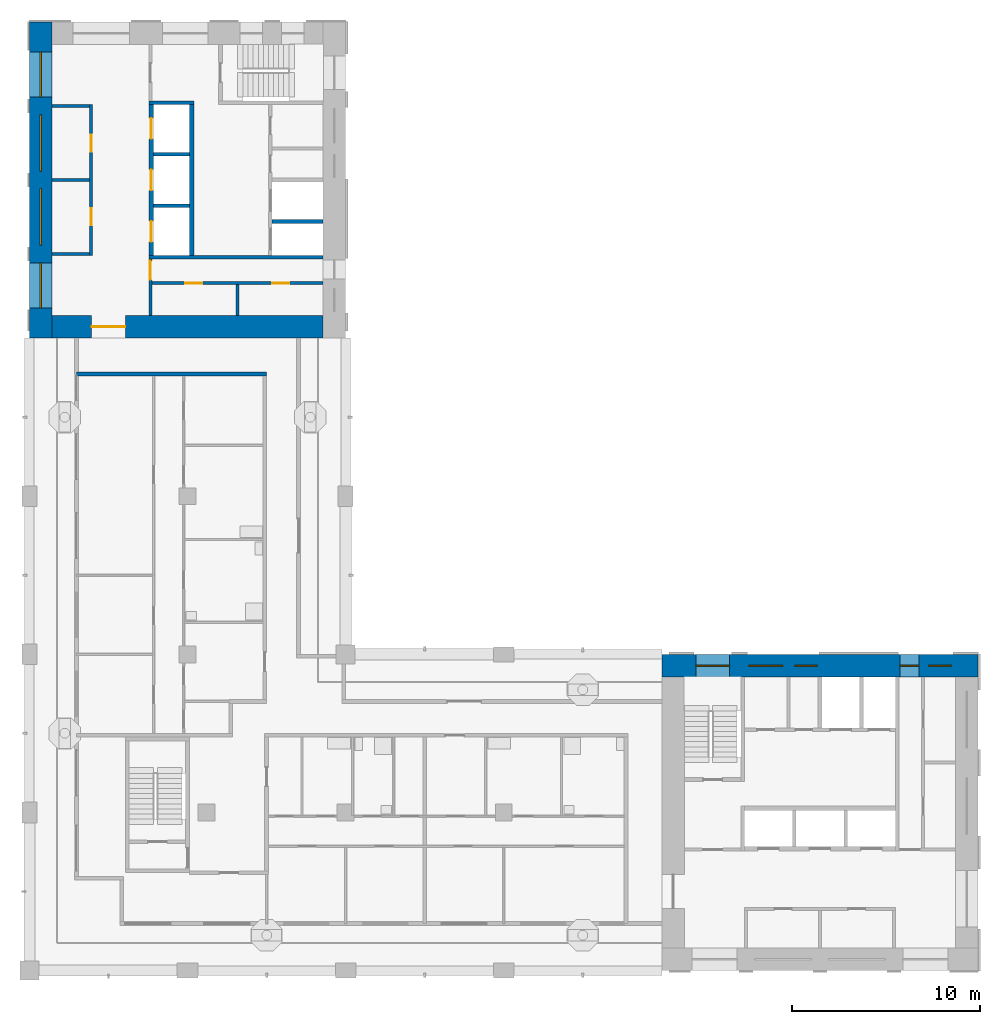
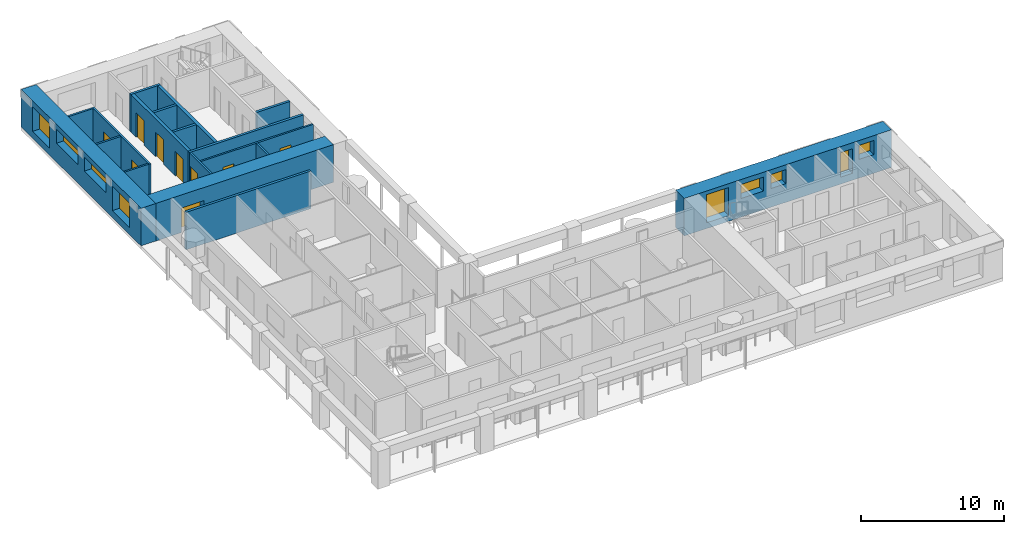
# One storey, part 5 of 11: 18 walls, 9 doors, 9 windows, 18 openings.
"""IFC4 building model written with IfcOpenShell, lengths in metres."""

from ifc_helpers import new_model, si_unit, direction, frame, frame_2d, origin, place, context, subcontext, project, spatial, rectangle, extrude, material, layer, layer_set, type_object, element, fill, save


model = new_model("IFC4")

# Units and contexts
model_context = context("Model", 3, precision=1e-05, world=origin(), true_north=direction((0.0, 1.0)))
body_context = subcontext(model_context, "Body", "Model", "MODEL_VIEW")
ifc_project = project(units=[si_unit("LENGTHUNIT", "METRE"), si_unit("AREAUNIT", "SQUARE_METRE"), si_unit("VOLUMEUNIT", "CUBIC_METRE"), si_unit("PLANEANGLEUNIT", "RADIAN"), si_unit("MASSUNIT", "GRAM", prefix="KILO")], contexts=[model_context])

# Site, building, storey
site_placement = place(None, origin())
site = spatial("IfcSite", under=ifc_project, at=site_placement, CompositionType="ELEMENT")
building_placement = place(site_placement, origin())
building = spatial("IfcBuilding", under=site, at=building_placement, Name="Vermilion Gate Residences", CompositionType="ELEMENT")
storey_placement = place(building_placement, frame((0.0, 0.0, 256.199951171875)))
storey = spatial("IfcBuildingStorey", under=building, at=storey_placement, Name="L67", CompositionType="ELEMENT", Elevation=256.199951171875)

# Walls
ifc_material_1 = material(Name="Masonry blockwork", Category="masonry")
ifc_layer_1 = layer(ifc_material_1, 0.14990234375)
ifc_layer_set_1 = layer_set([ifc_layer_1], Name="BLOCKWORK PARTITION 150 EI 120")
wall_type_1 = type_object("IfcWallType", Name="BLOCKWORK PARTITION 150 EI 120", PredefinedType="PARTITIONING", material=ifc_layer_set_1)
for number, where, z_axis, x_axis, name in (
    (1, (9.60009765625, 54.324951171875, 0.0), (0.0, 0.0, 1.0), (1.0, 0.0, 0.0), "Core room partition B67-RW-W"),
    (2, (9.60009765625, 46.47509765625, 0.0), (0.0, 0.0, 1.0), (1.0, 0.0, 0.0), "Core room partition B67-RW-E"),
    (3, (9.60009765625, 50.39990234375, 0.0), (0.0, 0.0, 1.0), (1.0, 0.0, 0.0), "Core room partition B67-SR-P0"),
):
    element("IfcWall", number, at=place(storey_placement, frame(where, z_axis=z_axis, x_axis=x_axis)), inside=storey, type_object=wall_type_1, Name=name, PredefinedType="PARTITIONING", context=body_context, shape_type="SweptSolid", body=[
        extrude(rectangle(XDim=2.0, YDim=0.14990234375, at=frame_2d((1.0, 0.0))), origin(), (0.0, 0.0, 1.0), 3.219970703125),
    ])

# Wall, openings, doors
wall_1_placement = place(storey_placement, frame((11.675048828125, 54.39990234375, 0.0), z_axis=(0.0, 0.0, 1.0), x_axis=(0.0, -1.0, 0.0)))
wall_1 = element("IfcWall", 4, at=wall_1_placement, inside=storey, type_object=wall_type_1, Name="Core room partition B67-LR-F", PredefinedType="PARTITIONING", context=body_context, shape_type="SweptSolid", body=[
    extrude(rectangle(XDim=8.0, YDim=0.14990234375, at=frame_2d((4.0, 0.0))), origin(), (0.0, 0.0, 1.0), 3.219970703125),
])
opening_1_placement = place(wall_1_placement, frame((1.58740234375, 0.0, 0.0)))
opening_1 = element("IfcOpeningElement", 5, at=opening_1_placement, cuts=wall_1, Name="Opening DK67102", PredefinedType="OPENING", context=body_context, shape_type="SweptSolid", body=[
    extrude(rectangle(XDim=0.89990234375, YDim=2.10009765625, at=frame_2d((0.449951171875, 1.050048828125))), frame((0.0, 0.0849609375, 0.0), z_axis=(0.0, -1.0, 0.0), x_axis=(1.0, 0.0, 0.0)), (0.0, 0.0, 1.0), 0.169921875),
])
opening_2_placement = place(wall_1_placement, frame((5.512451171875, 0.0, 0.0)))
opening_2 = element("IfcOpeningElement", 6, at=opening_2_placement, cuts=wall_1, Name="Opening DK67103", PredefinedType="OPENING", context=body_context, shape_type="SweptSolid", body=[
    extrude(rectangle(XDim=0.89990234375, YDim=2.10009765625, at=frame_2d((0.449951171875, 1.050048828125))), frame((0.0, 0.0849609375, 0.0), z_axis=(0.0, -1.0, 0.0), x_axis=(1.0, 0.0, 0.0)), (0.0, 0.0, 1.0), 0.169921875),
])
ifc_material_2 = material(Name="Steel", Category="steel")
door_type_1 = type_object("IfcDoorType", Name="SERVICE ROOM DOOR FD60 900 X 2100", OperationType="SINGLE_SWING_LEFT", PredefinedType="DOOR", material=ifc_material_2)
door_1_placement = place(opening_1_placement, frame((0.89990234375, 0.0, 0.0), z_axis=(0.0, 0.0, 1.0), x_axis=(-1.0, 0.0, 0.0)))
door_1 = element("IfcDoor", 7, at=door_1_placement, inside=storey, type_object=door_type_1, Name="Housekeeping store B67", OperationType="SINGLE_SWING_RIGHT", OverallHeight=2.10009765625, OverallWidth=0.89990234375, PredefinedType="DOOR", context=body_context, shape_type="SweptSolid", body=[
    extrude(rectangle(XDim=0.89990234375, YDim=2.10009765625, at=frame_2d((0.449951171875, 1.050048828125))), frame((0.0, 0.02490234375, 0.0), z_axis=(0.0, -1.0, 0.0), x_axis=(1.0, 0.0, 0.0)), (0.0, 0.0, 1.0), 0.050048828125),
])
fill(opening_1, door_1)
door_2_placement = place(opening_2_placement, frame((0.89990234375, 0.0, 0.0), z_axis=(0.0, 0.0, 1.0), x_axis=(-1.0, 0.0, 0.0)))
door_2 = element("IfcDoor", 8, at=door_2_placement, inside=storey, type_object=door_type_1, Name="Fire equipment store B67", OperationType="SINGLE_SWING_LEFT", OverallHeight=2.10009765625, OverallWidth=0.89990234375, PredefinedType="DOOR", context=body_context, shape_type="SweptSolid", body=[
    extrude(rectangle(XDim=0.89990234375, YDim=2.10009765625, at=frame_2d((0.449951171875, 1.050048828125))), frame((0.0, 0.02490234375, 0.0), z_axis=(0.0, -1.0, 0.0), x_axis=(1.0, 0.0, 0.0)), (0.0, 0.0, 1.0), 0.050048828125),
])
fill(opening_2, door_2)

# Wall, opening, door
wall_2_placement = place(storey_placement, frame((14.824951171875, 46.199951171875, 0.0), z_axis=(0.0, 0.0, 1.0), x_axis=(0.0, -1.0, 0.0)))
wall_2 = element("IfcWall", 9, at=wall_2_placement, inside=storey, type_object=wall_type_1, Name="Core room partition B67-ES-S", PredefinedType="PARTITIONING", context=body_context, shape_type="SweptSolid", body=[
    extrude(rectangle(XDim=3.0, YDim=0.14990234375, at=frame_2d((1.5, 0.0))), origin(), (0.0, 0.0, 1.0), 3.219970703125),
])
opening_3_placement = place(wall_2_placement, frame((0.10009765625, 0.0, 0.0)))
opening_3 = element("IfcOpeningElement", 10, at=opening_3_placement, cuts=wall_2, Name="Opening DK67113", PredefinedType="OPENING", context=body_context, shape_type="SweptSolid", body=[
    extrude(rectangle(XDim=1.0, YDim=2.10009765625, at=frame_2d((0.5, 1.050048828125))), frame((0.0, 0.0849609375, 0.0), z_axis=(0.0, -1.0, 0.0), x_axis=(1.0, 0.0, 0.0)), (0.0, 0.0, 1.0), 0.169921875),
])
ifc_material_3 = material(Name="Steel", Category="steel")
door_type_2 = type_object("IfcDoorType", Name="FIRE DOOR FD60 1000 X 2100", OperationType="SINGLE_SWING_LEFT", PredefinedType="DOOR", material=ifc_material_3)
door_3_placement = place(opening_3_placement, frame((1.0, 0.0, 0.0), z_axis=(0.0, 0.0, 1.0), x_axis=(-1.0, 0.0, 0.0)))
door_3 = element("IfcDoor", 11, at=door_3_placement, inside=storey, type_object=door_type_2, Name="Service corridor door B67", OperationType="SINGLE_SWING_LEFT", OverallHeight=2.10009765625, OverallWidth=1.0, PredefinedType="DOOR", context=body_context, shape_type="SweptSolid", body=[
    extrude(rectangle(XDim=1.0, YDim=2.10009765625, at=frame_2d((0.5, 1.050048828125))), frame((0.0, 0.02490234375, 0.0), z_axis=(0.0, -1.0, 0.0), x_axis=(1.0, 0.0, 0.0)), (0.0, 0.0, 1.0), 0.050048828125),
])
fill(opening_3, door_3)

# Wall
wall_3_placement = place(storey_placement, frame((19.449951171875, 44.85009765625, 0.0), z_axis=(0.0, 0.0, 1.0), x_axis=(0.0, -1.0, 0.0)))
element("IfcWall", 12, at=wall_3_placement, inside=storey, type_object=wall_type_1, Name="Core room partition B67-ES-P0", PredefinedType="PARTITIONING", context=body_context, shape_type="SweptSolid", body=[
    extrude(rectangle(XDim=1.650146484375, YDim=0.14990234375, at=frame_2d((0.8251953125, 0.0))), origin(), (0.0, 0.0, 1.0), 3.219970703125),
])

# Wall, openings, doors
wall_4_placement = place(storey_placement, frame((14.89990234375, 44.925048828125, 0.0), z_axis=(0.0, 0.0, 1.0), x_axis=(1.0, 0.0, 0.0)))
wall_4 = element("IfcWall", 13, at=wall_4_placement, inside=storey, type_object=wall_type_1, Name="Core room partition B67-ES-W", PredefinedType="PARTITIONING", context=body_context, shape_type="SweptSolid", body=[
    extrude(rectangle(XDim=9.10009765625, YDim=0.14990234375, at=frame_2d((4.550048828125, 0.0))), origin(), (0.0, 0.0, 1.0), 3.219970703125),
])
opening_4_placement = place(wall_4_placement, frame((1.78759765625, 0.0, 0.0)))
opening_4 = element("IfcOpeningElement", 14, at=opening_4_placement, cuts=wall_4, Name="Opening DK67114", PredefinedType="OPENING", context=body_context, shape_type="SweptSolid", body=[
    extrude(rectangle(XDim=0.89990234375, YDim=2.10009765625, at=frame_2d((0.449951171875, 1.050048828125))), frame((0.0, 0.0849609375, 0.0), z_axis=(0.0, -1.0, 0.0), x_axis=(1.0, 0.0, 0.0)), (0.0, 0.0, 1.0), 0.169921875),
])
opening_5_placement = place(wall_4_placement, frame((6.41259765625, 0.0, 0.0)))
opening_5 = element("IfcOpeningElement", 15, at=opening_5_placement, cuts=wall_4, Name="Opening DK67115", PredefinedType="OPENING", context=body_context, shape_type="SweptSolid", body=[
    extrude(rectangle(XDim=0.89990234375, YDim=2.10009765625, at=frame_2d((0.449951171875, 1.050048828125))), frame((0.0, 0.0849609375, 0.0), z_axis=(0.0, -1.0, 0.0), x_axis=(1.0, 0.0, 0.0)), (0.0, 0.0, 1.0), 0.169921875),
])
door_4_placement = place(opening_4_placement, frame((0.89990234375, 0.0, 0.0), z_axis=(0.0, 0.0, 1.0), x_axis=(-1.0, 0.0, 0.0)))
door_4 = element("IfcDoor", 16, at=door_4_placement, inside=storey, type_object=door_type_1, Name="Electrical room B67", OperationType="SINGLE_SWING_RIGHT", OverallHeight=2.10009765625, OverallWidth=0.89990234375, PredefinedType="DOOR", context=body_context, shape_type="SweptSolid", body=[
    extrude(rectangle(XDim=0.89990234375, YDim=2.10009765625, at=frame_2d((0.449951171875, 1.050048828125))), frame((0.0, 0.02490234375, 0.0), z_axis=(0.0, -1.0, 0.0), x_axis=(1.0, 0.0, 0.0)), (0.0, 0.0, 1.0), 0.050048828125),
])
fill(opening_4, door_4)
door_5_placement = place(opening_5_placement, frame((0.89990234375, 0.0, 0.0), z_axis=(0.0, 0.0, 1.0), x_axis=(-1.0, 0.0, 0.0)))
door_5 = element("IfcDoor", 17, at=door_5_placement, inside=storey, type_object=door_type_1, Name="Storage room B67", OperationType="SINGLE_SWING_RIGHT", OverallHeight=2.10009765625, OverallWidth=0.89990234375, PredefinedType="DOOR", context=body_context, shape_type="SweptSolid", body=[
    extrude(rectangle(XDim=0.89990234375, YDim=2.10009765625, at=frame_2d((0.449951171875, 1.050048828125))), frame((0.0, 0.02490234375, 0.0), z_axis=(0.0, -1.0, 0.0), x_axis=(1.0, 0.0, 0.0)), (0.0, 0.0, 1.0), 0.050048828125),
])
fill(opening_5, door_5)

# Walls
ifc_material_4 = material(Name="Fire-rated plasterboard on steel studs", Category="steel")
ifc_layer_2 = layer(ifc_material_4, 0.199951171875)
ifc_layer_set_2 = layer_set([ifc_layer_2], Name="PARTY WALL 200 EI 120")
wall_type_2 = type_object("IfcWallType", Name="PARTY WALL 200 EI 120", PredefinedType="PARTITIONING", material=ifc_layer_set_2)
wall_5_placement = place(storey_placement, frame((10.89990234375, 40.10009765625, 0.0), z_axis=(0.0, 0.0, 1.0), x_axis=(1.0, 0.0, 0.0)))
element("IfcWall", 18, at=wall_5_placement, inside=storey, type_object=wall_type_2, Name="Party and corridor wall", PredefinedType="PARTITIONING", context=body_context, shape_type="SweptSolid", body=[
    extrude(rectangle(XDim=10.10009765625, YDim=0.199951171875, at=frame_2d((5.050048828125, 0.0))), origin(), (0.0, 0.0, 1.0), 3.219970703125),
])
ifc_material_5 = material(Name="Concrete C60", Category="concrete")
ifc_layer_3 = layer(ifc_material_5, 0.199951171875)
ifc_layer_set_3 = layer_set([ifc_layer_3], Name="RC CORE INTERNAL WALL 200 C60")
wall_type_3 = type_object("IfcWallType", Name="RC CORE INTERNAL WALL 200 C60", PredefinedType="SHEAR", material=ifc_layer_set_3)
for number, where, z_axis, x_axis, name in (
    (19, (15.0, 51.7666015625, 0.0), (0.0, 0.0, 1.0), (1.0, 0.0, 0.0), "Core internal wall B67-HR-D1"),
    (20, (15.0, 49.033447265625, 0.0), (0.0, 0.0, 1.0), (1.0, 0.0, 0.0), "Core internal wall B67-HR-D2"),
):
    element("IfcWall", number, at=place(storey_placement, frame(where, z_axis=z_axis, x_axis=x_axis)), inside=storey, type_object=wall_type_3, Name=name, PredefinedType="SHEAR", context=body_context, shape_type="SweptSolid", body=[
        extrude(rectangle(XDim=1.89990234375, YDim=0.199951171875, at=frame_2d((0.949951171875, 0.0))), origin(), (0.0, 0.0, 1.0), 3.219970703125),
    ])
wall_6_placement = place(storey_placement, frame((21.300048828125, 48.199951171875, 0.0), z_axis=(0.0, 0.0, 1.0), x_axis=(1.0, 0.0, 0.0)))
element("IfcWall", 21, at=wall_6_placement, inside=storey, type_object=wall_type_3, Name="Core internal wall B67-FF-D1", PredefinedType="SHEAR", context=body_context, shape_type="SweptSolid", body=[
    extrude(rectangle(XDim=2.699951171875, YDim=0.199951171875, at=frame_2d((1.35009765625, 0.0))), origin(), (0.0, 0.0, 1.0), 3.219970703125),
])
wall_7_placement = place(storey_placement, frame((14.75, 54.5, 0.0), z_axis=(0.0, 0.0, 1.0), x_axis=(1.0, 0.0, 0.0)))
element("IfcWall", 22, at=wall_7_placement, inside=storey, type_object=wall_type_3, Name="Core internal wall B67-WDIV1", PredefinedType="SHEAR", context=body_context, shape_type="SweptSolid", body=[
    extrude(rectangle(XDim=2.39990234375, YDim=0.199951171875, at=frame_2d((1.199951171875, 0.0))), origin(), (0.0, 0.0, 1.0), 3.219970703125),
])
wall_8_placement = place(storey_placement, frame((14.75, 46.300048828125, 0.0), z_axis=(0.0, 0.0, 1.0), x_axis=(1.0, 0.0, 0.0)))
element("IfcWall", 23, at=wall_8_placement, inside=storey, type_object=wall_type_3, Name="Core internal wall B67-EDIV", PredefinedType="SHEAR", context=body_context, shape_type="SweptSolid", body=[
    extrude(rectangle(XDim=9.25, YDim=0.199951171875, at=frame_2d((4.625, 0.0))), origin(), (0.0, 0.0, 1.0), 3.219970703125),
])

# Wall, opening, door
ifc_material_6 = material(Name="Concrete C50", Category="concrete")
ifc_layer_4 = layer(ifc_material_6, 1.199951171875)
ifc_layer_set_4 = layer_set([ifc_layer_4], Name="RC CORE WALL 1200 C50")
wall_type_4 = type_object("IfcWallType", Name="RC CORE WALL 1200 C50", PredefinedType="SHEAR", material=ifc_layer_set_4)
wall_9_placement = place(storey_placement, frame((9.60009765625, 42.60009765625, 0.0), z_axis=(0.0, 0.0, 1.0), x_axis=(1.0, 0.0, 0.0)))
wall_9 = element("IfcWall", 24, at=wall_9_placement, inside=storey, type_object=wall_type_4, Name="Core wall B67-OUT-BK", PredefinedType="SHEAR", context=body_context, shape_type="SweptSolid", body=[
    extrude(rectangle(XDim=14.39990234375, YDim=1.199951171875, at=frame_2d((7.199951171875, 0.0))), origin(), (0.0, 0.0, 1.0), 3.219970703125),
])
opening_6_placement = place(wall_9_placement, frame((2.10009765625, 0.0, 0.0)))
opening_6 = element("IfcOpeningElement", 25, at=opening_6_placement, cuts=wall_9, Name="Opening DK67101", PredefinedType="OPENING", context=body_context, shape_type="SweptSolid", body=[
    extrude(rectangle(XDim=1.800048828125, YDim=2.10009765625, at=frame_2d((0.89990234375, 1.050048828125))), frame((0.0, 0.60986328125, 0.0), z_axis=(0.0, -1.0, 0.0), x_axis=(1.0, 0.0, 0.0)), (0.0, 0.0, 1.0), 1.219970703125),
])
ifc_material_7 = material(Name="Steel", Category="steel")
door_type_3 = type_object("IfcDoorType", Name="CORE LOBBY DOOR FD60 1800 X 2100", OperationType="DOUBLE_DOOR_SINGLE_SWING", PredefinedType="DOOR", material=ifc_material_7)
door_6_placement = place(opening_6_placement, frame((1.800048828125, 0.0, 0.0), z_axis=(0.0, 0.0, 1.0), x_axis=(-1.0, 0.0, 0.0)))
door_6 = element("IfcDoor", 26, at=door_6_placement, inside=storey, type_object=door_type_3, Name="Core lobby door B67", OperationType="DOUBLE_DOOR_SINGLE_SWING", OverallHeight=2.10009765625, OverallWidth=1.800048828125, PredefinedType="DOOR", context=body_context, shape_type="SweptSolid", body=[
    extrude(rectangle(XDim=1.800048828125, YDim=2.10009765625, at=frame_2d((0.89990234375, 1.050048828125))), frame((0.0, 0.02490234375, 0.0), z_axis=(0.0, -1.0, 0.0), x_axis=(1.0, 0.0, 0.0)), (0.0, 0.0, 1.0), 0.050048828125),
])
fill(opening_6, door_6)

# Wall, openings, windows
ifc_material_8 = material(Name="Concrete C50 red-oxide pigmented", Category="concrete")
ifc_layer_5 = layer(ifc_material_8, 1.199951171875)
ifc_layer_set_5 = layer_set([ifc_layer_5], Name="RC CORE WALL 1200 C50 RED OXIDE")
wall_type_5 = type_object("IfcWallType", Name="RC CORE WALL 1200 C50 RED OXIDE", PredefinedType="SHEAR", material=ifc_layer_set_5)
wall_10_placement = place(storey_placement, frame((42.0, 24.60009765625, 0.0), z_axis=(0.0, 0.0, 1.0), x_axis=(1.0, 0.0, 0.0)))
wall_10 = element("IfcWall", 27, at=wall_10_placement, inside=storey, type_object=wall_type_5, Name="Core wall A67-OUT-B1", PredefinedType="SHEAR", context=body_context, shape_type="SweptSolid", body=[
    extrude(rectangle(XDim=16.800048828125, YDim=1.199951171875, at=frame_2d((8.39990234375, 0.0))), origin(), (0.0, 0.0, 1.0), 3.219970703125),
])
opening_7_placement = place(wall_10_placement, frame((1.800048828125, 0.0, 0.5)))
opening_7 = element("IfcOpeningElement", 28, at=opening_7_placement, cuts=wall_10, Name="Opening WKA6705", PredefinedType="OPENING", context=body_context, shape_type="SweptSolid", body=[
    extrude(rectangle(XDim=1.800048828125, YDim=2.39990234375, at=frame_2d((0.89990234375, 1.199951171875))), frame((0.0, 0.60986328125, 0.0), z_axis=(0.0, -1.0, 0.0), x_axis=(1.0, 0.0, 0.0)), (0.0, 0.0, 1.0), 1.219970703125),
])
opening_8_placement = place(wall_10_placement, frame((4.625, 0.0, 1.60009765625)))
opening_8 = element("IfcOpeningElement", 29, at=opening_8_placement, cuts=wall_10, Name="Opening WKA6706", PredefinedType="OPENING", context=body_context, shape_type="SweptSolid", body=[
    extrude(rectangle(XDim=1.800048828125, YDim=1.199951171875, at=frame_2d((0.89990234375, 0.60009765625))), frame((0.0, 0.60986328125, 0.0), z_axis=(0.0, -1.0, 0.0), x_axis=(1.0, 0.0, 0.0)), (0.0, 0.0, 1.0), 1.219970703125),
])
opening_9_placement = place(wall_10_placement, frame((7.050048828125, 0.0, 1.60009765625)))
opening_9 = element("IfcOpeningElement", 30, at=opening_9_placement, cuts=wall_10, Name="Opening WKA6707", PredefinedType="OPENING", context=body_context, shape_type="SweptSolid", body=[
    extrude(rectangle(XDim=1.199951171875, YDim=1.199951171875, at=frame_2d((0.60009765625, 0.60009765625))), frame((0.0, 0.60986328125, 0.0), z_axis=(0.0, -1.0, 0.0), x_axis=(1.0, 0.0, 0.0)), (0.0, 0.0, 1.0), 1.219970703125),
])
opening_10_placement = place(wall_10_placement, frame((12.64990234375, 0.0, 0.60009765625)))
opening_10 = element("IfcOpeningElement", 31, at=opening_10_placement, cuts=wall_10, Name="Opening WKA6708", PredefinedType="OPENING", context=body_context, shape_type="SweptSolid", body=[
    extrude(rectangle(XDim=1.0, YDim=2.10009765625, at=frame_2d((0.5, 1.050048828125))), frame((0.0, 0.60986328125, 0.0), z_axis=(0.0, -1.0, 0.0), x_axis=(1.0, 0.0, 0.0)), (0.0, 0.0, 1.0), 1.219970703125),
])
opening_11_placement = place(wall_10_placement, frame((14.175048828125, 0.0, 1.60009765625)))
opening_11 = element("IfcOpeningElement", 32, at=opening_11_placement, cuts=wall_10, Name="Opening WKA6709", PredefinedType="OPENING", context=body_context, shape_type="SweptSolid", body=[
    extrude(rectangle(XDim=1.199951171875, YDim=1.199951171875, at=frame_2d((0.60009765625, 0.60009765625))), frame((0.0, 0.60986328125, 0.0), z_axis=(0.0, -1.0, 0.0), x_axis=(1.0, 0.0, 0.0)), (0.0, 0.0, 1.0), 1.219970703125),
])
ifc_material_9 = material(Name="Aluminium and clear glass", Category="aluminium")
window_type_1 = type_object("IfcWindowType", Name="CORE CORRIDOR WINDOW 1000 X 2100", PartitioningType="SINGLE_PANEL", PredefinedType="WINDOW", material=ifc_material_9)
window_1_placement = place(opening_10_placement, origin())
window_1 = element("IfcWindow", 33, at=window_1_placement, inside=storey, type_object=window_type_1, Name="Core corridor window", OverallHeight=2.10009765625, OverallWidth=1.0, PartitioningType="SINGLE_PANEL", PredefinedType="WINDOW", context=body_context, shape_type="SweptSolid", body=[
    extrude(rectangle(XDim=1.0, YDim=2.10009765625, at=frame_2d((0.5, 1.050048828125))), frame((0.0, 0.030029296875, 0.0), z_axis=(0.0, -1.0, 0.0), x_axis=(1.0, 0.0, 0.0)), (0.0, 0.0, 1.0), 0.06005859375),
])
fill(opening_10, window_1)
ifc_material_10 = material(Name="Aluminium frame with louvre blades", Category="aluminium")
window_type_2 = type_object("IfcWindowType", Name="CORE LOUVRE 1200 X 1200", PartitioningType="SINGLE_PANEL", PredefinedType="WINDOW", material=ifc_material_10)
window_2_placement = place(opening_9_placement, origin())
window_2 = element("IfcWindow", 34, at=window_2_placement, inside=storey, type_object=window_type_2, Name="Core louvre", OverallHeight=1.199951171875, OverallWidth=1.199951171875, PartitioningType="SINGLE_PANEL", PredefinedType="WINDOW", context=body_context, shape_type="SweptSolid", body=[
    extrude(rectangle(XDim=1.199951171875, YDim=1.199951171875, at=frame_2d((0.60009765625, 0.60009765625))), frame((0.0, 0.030029296875, 0.0), z_axis=(0.0, -1.0, 0.0), x_axis=(1.0, 0.0, 0.0)), (0.0, 0.0, 1.0), 0.06005859375),
])
fill(opening_9, window_2)
window_3_placement = place(opening_11_placement, origin())
window_3 = element("IfcWindow", 35, at=window_3_placement, inside=storey, type_object=window_type_2, Name="Core louvre", OverallHeight=1.199951171875, OverallWidth=1.199951171875, PartitioningType="SINGLE_PANEL", PredefinedType="WINDOW", context=body_context, shape_type="SweptSolid", body=[
    extrude(rectangle(XDim=1.199951171875, YDim=1.199951171875, at=frame_2d((0.60009765625, 0.60009765625))), frame((0.0, 0.030029296875, 0.0), z_axis=(0.0, -1.0, 0.0), x_axis=(1.0, 0.0, 0.0)), (0.0, 0.0, 1.0), 0.06005859375),
])
fill(opening_11, window_3)
ifc_material_11 = material(Name="Aluminium frame with louvre blades", Category="aluminium")
window_type_3 = type_object("IfcWindowType", Name="CORE LOUVRE 1800 X 1200", PartitioningType="SINGLE_PANEL", PredefinedType="WINDOW", material=ifc_material_11)
window_4_placement = place(opening_8_placement, origin())
window_4 = element("IfcWindow", 36, at=window_4_placement, inside=storey, type_object=window_type_3, Name="Core louvre", OverallHeight=1.199951171875, OverallWidth=1.800048828125, PartitioningType="SINGLE_PANEL", PredefinedType="WINDOW", context=body_context, shape_type="SweptSolid", body=[
    extrude(rectangle(XDim=1.800048828125, YDim=1.199951171875, at=frame_2d((0.89990234375, 0.60009765625))), frame((0.0, 0.030029296875, 0.0), z_axis=(0.0, -1.0, 0.0), x_axis=(1.0, 0.0, 0.0)), (0.0, 0.0, 1.0), 0.06005859375),
])
fill(opening_8, window_4)
ifc_material_12 = material(Name="Aluminium and clear glass", Category="aluminium")
window_type_4 = type_object("IfcWindowType", Name="CORE STAIR WINDOW 1800 X 2400", PartitioningType="SINGLE_PANEL", PredefinedType="WINDOW", material=ifc_material_12)
window_5_placement = place(opening_7_placement, origin())
window_5 = element("IfcWindow", 37, at=window_5_placement, inside=storey, type_object=window_type_4, Name="Core stair window", OverallHeight=2.39990234375, OverallWidth=1.800048828125, PartitioningType="SINGLE_PANEL", PredefinedType="WINDOW", context=body_context, shape_type="SweptSolid", body=[
    extrude(rectangle(XDim=1.800048828125, YDim=2.39990234375, at=frame_2d((0.89990234375, 1.199951171875))), frame((0.0, 0.030029296875, 0.0), z_axis=(0.0, -1.0, 0.0), x_axis=(1.0, 0.0, 0.0)), (0.0, 0.0, 1.0), 0.06005859375),
])
fill(opening_7, window_5)

wall_11_placement = place(storey_placement, frame((9.0, 58.800048828125, 0.0), z_axis=(0.0, 0.0, 1.0), x_axis=(0.0, -1.0, 0.0)))
wall_11 = element("IfcWall", 38, at=wall_11_placement, inside=storey, type_object=wall_type_5, Name="Core wall B67-OUT-B0", PredefinedType="SHEAR", context=body_context, shape_type="SweptSolid", body=[
    extrude(rectangle(XDim=16.800048828125, YDim=1.199951171875, at=frame_2d((8.39990234375, 0.0))), origin(), (0.0, 0.0, 1.0), 3.219970703125),
])
opening_12_placement = place(wall_11_placement, frame((1.60009765625, 0.0, 0.60009765625)))
opening_12 = element("IfcOpeningElement", 39, at=opening_12_placement, cuts=wall_11, Name="Opening WKB6701", PredefinedType="OPENING", context=body_context, shape_type="SweptSolid", body=[
    extrude(rectangle(XDim=2.39990234375, YDim=2.10009765625, at=frame_2d((1.199951171875, 1.050048828125))), frame((0.0, 0.60986328125, 0.0), z_axis=(0.0, -1.0, 0.0), x_axis=(1.0, 0.0, 0.0)), (0.0, 0.0, 1.0), 1.219970703125),
])
opening_13_placement = place(wall_11_placement, frame((4.9375, 0.0, 1.60009765625)))
opening_13 = element("IfcOpeningElement", 40, at=opening_13_placement, cuts=wall_11, Name="Opening WKB6702", PredefinedType="OPENING", context=body_context, shape_type="SweptSolid", body=[
    extrude(rectangle(XDim=3.0, YDim=1.199951171875, at=frame_2d((1.5, 0.60009765625))), frame((0.0, 0.60986328125, 0.0), z_axis=(0.0, -1.0, 0.0), x_axis=(1.0, 0.0, 0.0)), (0.0, 0.0, 1.0), 1.219970703125),
])
opening_14_placement = place(wall_11_placement, frame((8.862548828125, 0.0, 1.60009765625)))
opening_14 = element("IfcOpeningElement", 41, at=opening_14_placement, cuts=wall_11, Name="Opening WKB6703", PredefinedType="OPENING", context=body_context, shape_type="SweptSolid", body=[
    extrude(rectangle(XDim=3.0, YDim=1.199951171875, at=frame_2d((1.5, 0.60009765625))), frame((0.0, 0.60986328125, 0.0), z_axis=(0.0, -1.0, 0.0), x_axis=(1.0, 0.0, 0.0)), (0.0, 0.0, 1.0), 1.219970703125),
])
opening_15_placement = place(wall_11_placement, frame((12.800048828125, 0.0, 0.60009765625)))
opening_15 = element("IfcOpeningElement", 42, at=opening_15_placement, cuts=wall_11, Name="Opening WKB6704", PredefinedType="OPENING", context=body_context, shape_type="SweptSolid", body=[
    extrude(rectangle(XDim=2.39990234375, YDim=2.10009765625, at=frame_2d((1.199951171875, 1.050048828125))), frame((0.0, 0.60986328125, 0.0), z_axis=(0.0, -1.0, 0.0), x_axis=(1.0, 0.0, 0.0)), (0.0, 0.0, 1.0), 1.219970703125),
])
ifc_material_13 = material(Name="Aluminium and clear glass", Category="aluminium")
window_type_5 = type_object("IfcWindowType", Name="CORE LOBBY WINDOW 2400 X 2100", PartitioningType="SINGLE_PANEL", PredefinedType="WINDOW", material=ifc_material_13)
window_6_placement = place(opening_12_placement, origin())
window_6 = element("IfcWindow", 43, at=window_6_placement, inside=storey, type_object=window_type_5, Name="Core lobby window", OverallHeight=2.10009765625, OverallWidth=2.39990234375, PartitioningType="SINGLE_PANEL", PredefinedType="WINDOW", context=body_context, shape_type="SweptSolid", body=[
    extrude(rectangle(XDim=2.39990234375, YDim=2.10009765625, at=frame_2d((1.199951171875, 1.050048828125))), frame((0.0, 0.030029296875, 0.0), z_axis=(0.0, -1.0, 0.0), x_axis=(1.0, 0.0, 0.0)), (0.0, 0.0, 1.0), 0.06005859375),
])
fill(opening_12, window_6)
window_7_placement = place(opening_15_placement, origin())
window_7 = element("IfcWindow", 44, at=window_7_placement, inside=storey, type_object=window_type_5, Name="Core lobby window", OverallHeight=2.10009765625, OverallWidth=2.39990234375, PartitioningType="SINGLE_PANEL", PredefinedType="WINDOW", context=body_context, shape_type="SweptSolid", body=[
    extrude(rectangle(XDim=2.39990234375, YDim=2.10009765625, at=frame_2d((1.199951171875, 1.050048828125))), frame((0.0, 0.030029296875, 0.0), z_axis=(0.0, -1.0, 0.0), x_axis=(1.0, 0.0, 0.0)), (0.0, 0.0, 1.0), 0.06005859375),
])
fill(opening_15, window_7)
ifc_material_14 = material(Name="Aluminium frame with louvre blades", Category="aluminium")
window_type_6 = type_object("IfcWindowType", Name="CORE LOUVRE 3000 X 1200", PartitioningType="SINGLE_PANEL", PredefinedType="WINDOW", material=ifc_material_14)
window_8_placement = place(opening_13_placement, origin())
window_8 = element("IfcWindow", 45, at=window_8_placement, inside=storey, type_object=window_type_6, Name="Core louvre", OverallHeight=1.199951171875, OverallWidth=3.0, PartitioningType="SINGLE_PANEL", PredefinedType="WINDOW", context=body_context, shape_type="SweptSolid", body=[
    extrude(rectangle(XDim=3.0, YDim=1.199951171875, at=frame_2d((1.5, 0.60009765625))), frame((0.0, 0.030029296875, 0.0), z_axis=(0.0, -1.0, 0.0), x_axis=(1.0, 0.0, 0.0)), (0.0, 0.0, 1.0), 0.06005859375),
])
fill(opening_13, window_8)
window_9_placement = place(opening_14_placement, origin())
window_9 = element("IfcWindow", 46, at=window_9_placement, inside=storey, type_object=window_type_6, Name="Core louvre", OverallHeight=1.199951171875, OverallWidth=3.0, PartitioningType="SINGLE_PANEL", PredefinedType="WINDOW", context=body_context, shape_type="SweptSolid", body=[
    extrude(rectangle(XDim=3.0, YDim=1.199951171875, at=frame_2d((1.5, 0.60009765625))), frame((0.0, 0.030029296875, 0.0), z_axis=(0.0, -1.0, 0.0), x_axis=(1.0, 0.0, 0.0)), (0.0, 0.0, 1.0), 0.06005859375),
])
fill(opening_14, window_9)

# Wall, openings, doors
ifc_material_15 = material(Name="Concrete C60", Category="concrete")
ifc_layer_6 = layer(ifc_material_15, 0.25)
ifc_layer_set_6 = layer_set([ifc_layer_6], Name="RC LIFT SHAFT WALL 250 C60")
wall_type_6 = type_object("IfcWallType", Name="RC LIFT SHAFT WALL 250 C60", PredefinedType="SHEAR", material=ifc_layer_set_6)
wall_12_placement = place(storey_placement, frame((14.875, 54.39990234375, 0.0), z_axis=(0.0, 0.0, 1.0), x_axis=(0.0, -1.0, 0.0)))
wall_12 = element("IfcWall", 47, at=wall_12_placement, inside=storey, type_object=wall_type_6, Name="Lift shaft wall B67-HR-F", PredefinedType="SHEAR", context=body_context, shape_type="SweptSolid", body=[
    extrude(rectangle(XDim=8.0, YDim=0.25, at=frame_2d((4.0, 0.0))), origin(), (0.0, 0.0, 1.0), 3.219970703125),
])
opening_16_placement = place(wall_12_placement, frame((0.716552734375, 0.0, 0.0)))
opening_16 = element("IfcOpeningElement", 48, at=opening_16_placement, cuts=wall_12, Name="Opening LD", PredefinedType="OPENING", context=body_context, shape_type="SweptSolid", body=[
    extrude(rectangle(XDim=1.10009765625, YDim=2.10009765625, at=frame_2d((0.550048828125, 1.050048828125))), frame((0.0, 0.135009765625, 0.0), z_axis=(0.0, -1.0, 0.0), x_axis=(1.0, 0.0, 0.0)), (0.0, 0.0, 1.0), 0.27001953125),
])
opening_17_placement = place(wall_12_placement, frame((3.449951171875, 0.0, 0.0)))
opening_17 = element("IfcOpeningElement", 49, at=opening_17_placement, cuts=wall_12, Name="Opening LD", PredefinedType="OPENING", context=body_context, shape_type="SweptSolid", body=[
    extrude(rectangle(XDim=1.10009765625, YDim=2.10009765625, at=frame_2d((0.550048828125, 1.050048828125))), frame((0.0, 0.135009765625, 0.0), z_axis=(0.0, -1.0, 0.0), x_axis=(1.0, 0.0, 0.0)), (0.0, 0.0, 1.0), 0.27001953125),
])
opening_18_placement = place(wall_12_placement, frame((6.183349609375, 0.0, 0.0)))
opening_18 = element("IfcOpeningElement", 50, at=opening_18_placement, cuts=wall_12, Name="Opening LD", PredefinedType="OPENING", context=body_context, shape_type="SweptSolid", body=[
    extrude(rectangle(XDim=1.10009765625, YDim=2.10009765625, at=frame_2d((0.550048828125, 1.050048828125))), frame((0.0, 0.135009765625, 0.0), z_axis=(0.0, -1.0, 0.0), x_axis=(1.0, 0.0, 0.0)), (0.0, 0.0, 1.0), 0.27001953125),
])
ifc_material_16 = material(Name="Stainless steel", Category="steel")
door_type_4 = type_object("IfcDoorType", Name="LIFT LANDING DOOR E60 1100 X 2100", OperationType="DOUBLE_DOOR_SLIDING", PredefinedType="DOOR", material=ifc_material_16)
door_7_placement = place(opening_16_placement, origin())
door_7 = element("IfcDoor", 51, at=door_7_placement, inside=storey, type_object=door_type_4, Name="Lift landing door HRB1", OperationType="DOUBLE_DOOR_SLIDING", OverallHeight=2.10009765625, OverallWidth=1.10009765625, PredefinedType="DOOR", context=body_context, shape_type="SweptSolid", body=[
    extrude(rectangle(XDim=1.10009765625, YDim=2.10009765625, at=frame_2d((0.550048828125, 1.050048828125))), frame((0.0, 0.02490234375, 0.0), z_axis=(0.0, -1.0, 0.0), x_axis=(1.0, 0.0, 0.0)), (0.0, 0.0, 1.0), 0.050048828125),
])
fill(opening_16, door_7)
door_8_placement = place(opening_17_placement, origin())
door_8 = element("IfcDoor", 52, at=door_8_placement, inside=storey, type_object=door_type_4, Name="Lift landing door HRB2", OperationType="DOUBLE_DOOR_SLIDING", OverallHeight=2.10009765625, OverallWidth=1.10009765625, PredefinedType="DOOR", context=body_context, shape_type="SweptSolid", body=[
    extrude(rectangle(XDim=1.10009765625, YDim=2.10009765625, at=frame_2d((0.550048828125, 1.050048828125))), frame((0.0, 0.02490234375, 0.0), z_axis=(0.0, -1.0, 0.0), x_axis=(1.0, 0.0, 0.0)), (0.0, 0.0, 1.0), 0.050048828125),
])
fill(opening_17, door_8)
door_9_placement = place(opening_18_placement, origin())
door_9 = element("IfcDoor", 53, at=door_9_placement, inside=storey, type_object=door_type_4, Name="Lift landing door HRB3", OperationType="DOUBLE_DOOR_SLIDING", OverallHeight=2.10009765625, OverallWidth=1.10009765625, PredefinedType="DOOR", context=body_context, shape_type="SweptSolid", body=[
    extrude(rectangle(XDim=1.10009765625, YDim=2.10009765625, at=frame_2d((0.550048828125, 1.050048828125))), frame((0.0, 0.02490234375, 0.0), z_axis=(0.0, -1.0, 0.0), x_axis=(1.0, 0.0, 0.0)), (0.0, 0.0, 1.0), 0.050048828125),
])
fill(opening_18, door_9)

# Wall
wall_13_placement = place(storey_placement, frame((17.02490234375, 54.39990234375, 0.0), z_axis=(0.0, 0.0, 1.0), x_axis=(0.0, -1.0, 0.0)))
element("IfcWall", 54, at=wall_13_placement, inside=storey, type_object=wall_type_6, Name="Lift shaft wall B67-HR-B", PredefinedType="SHEAR", context=body_context, shape_type="SweptSolid", body=[
    extrude(rectangle(XDim=8.0, YDim=0.25, at=frame_2d((4.0, 0.0))), origin(), (0.0, 0.0, 1.0), 3.219970703125),
])

save(model, "model.ifc")
